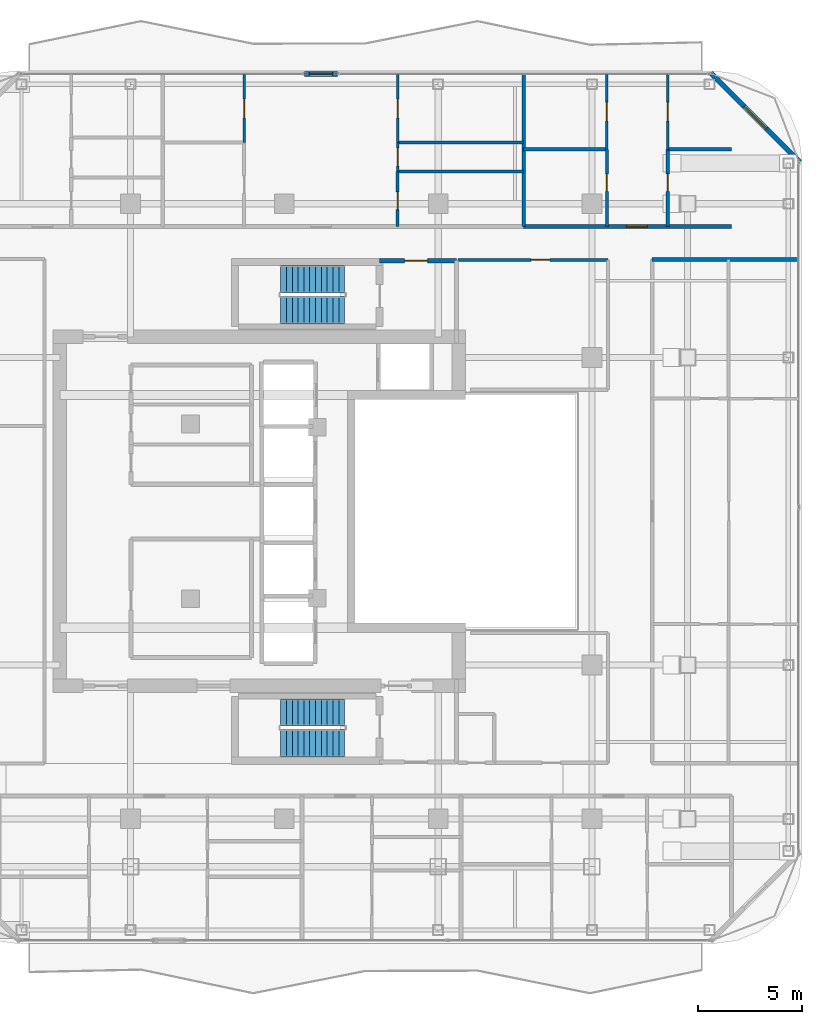
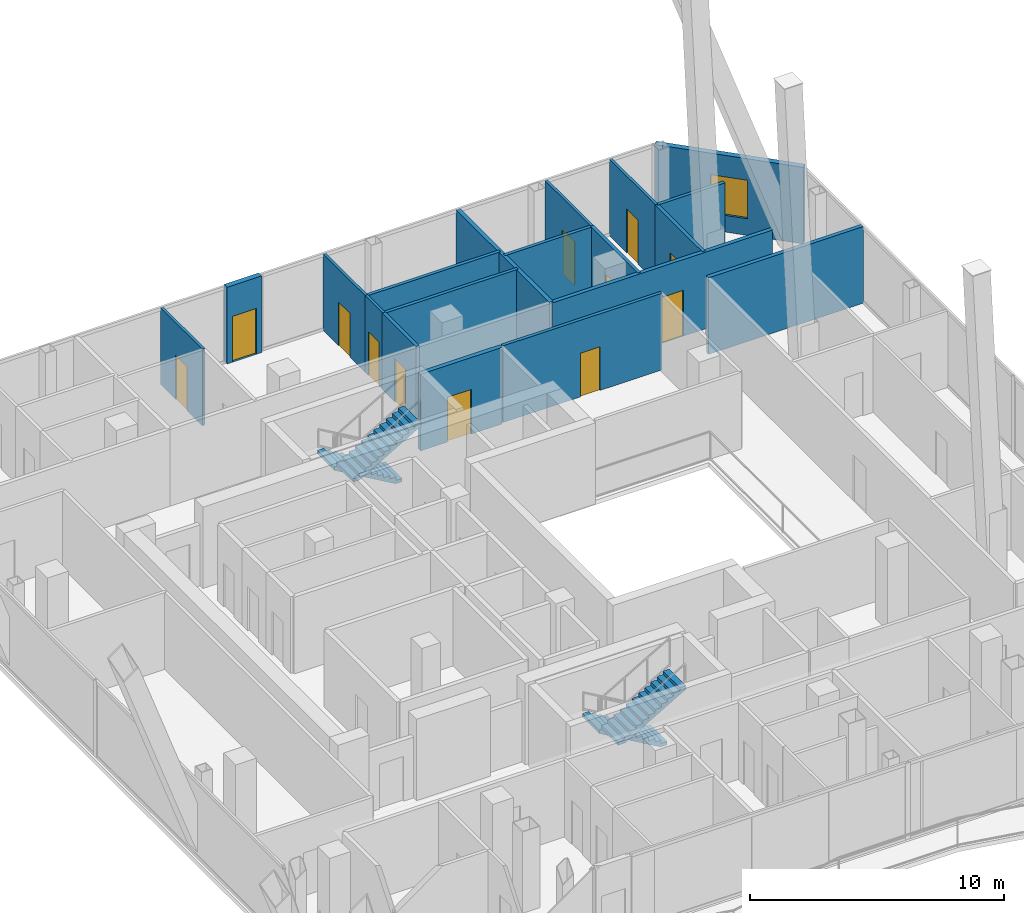
# One storey, part 24 of 27: 19 walls, 12 doors, 4 stair flights, 1 window, 13 openings, 2 elements without a shape of their own.
"""IFC4 building model written with IfcOpenShell, lengths in metres."""

from ifc_helpers import new_model, si_unit, direction, frame, frame_2d, origin, place, context, subcontext, project, spatial, polyline, rectangle, outline, extrude, material, layer, layer_set, type_object, element, fill, aggregate, save


model = new_model("IFC4")

# Units and contexts
model_context = context("Model", 3, precision=1e-05, world=origin(), true_north=direction((0.0, 1.0)))
body_context = subcontext(model_context, "Body", "Model", "MODEL_VIEW")
ifc_project = project(units=[si_unit("LENGTHUNIT", "METRE"), si_unit("AREAUNIT", "SQUARE_METRE"), si_unit("VOLUMEUNIT", "CUBIC_METRE"), si_unit("PLANEANGLEUNIT", "RADIAN"), si_unit("MASSUNIT", "GRAM", prefix="KILO")], contexts=[model_context])

# Site, building, storey
site_placement = place(None, origin())
site = spatial("IfcSite", under=ifc_project, at=site_placement, CompositionType="ELEMENT")
building_placement = place(site_placement, origin())
building = spatial("IfcBuilding", under=site, at=building_placement, Name="Khorvyn Point Tower", CompositionType="ELEMENT")
storey_placement = place(building_placement, frame((0.0, 0.0, 270.300048828125)))
storey = spatial("IfcBuildingStorey", under=building, at=storey_placement, Name="L66", CompositionType="ELEMENT", Elevation=270.300048828125)

# Wall, opening, door
ifc_material_1 = material(Name="Double acoustic gypsum on twin steel stud", Category="steel")
ifc_layer_1 = layer(ifc_material_1, 0.179931640625)
ifc_layer_set_1 = layer_set([ifc_layer_1], Name="Acoustic Double-Stud Apartment Demising Wall 180")
wall_type_1 = type_object("IfcWallType", Name="Acoustic Double-Stud Apartment Demising Wall 180", PredefinedType="PARTITIONING", material=ifc_layer_set_1)
wall_1_placement = place(storey_placement, frame((11.51806640625, 13.699951171875, 0.0), z_axis=(0.0, 0.0, 1.0), x_axis=(1.0, 0.0, 0.0)))
wall_1 = element("IfcWall", 1, at=wall_1_placement, inside=storey, type_object=wall_type_1, Name="Wall", PredefinedType="PARTITIONING", context=body_context, shape_type="SweptSolid", body=[
    extrude(rectangle(XDim=10.001953125, YDim=0.179931640625, at=frame_2d((5.0009765625, 0.0))), origin(), (0.0, 0.0, 1.0), 3.679931640625),
])
opening_1_placement = place(wall_1_placement, frame((4.944091796875, 0.0, 0.0)))
opening_1 = element("IfcOpeningElement", 2, at=opening_1_placement, cuts=wall_1, Name="Opening ID-AP60", PredefinedType="OPENING", context=body_context, shape_type="SweptSolid", body=[
    extrude(rectangle(XDim=1.0, YDim=2.199951171875, at=frame_2d((0.5, 1.10009765625))), frame((0.0, 0.099853515625, 0.0), z_axis=(0.0, -1.0, 0.0), x_axis=(1.0, 0.0, 0.0)), (0.0, 0.0, 1.0), 0.199951171875),
])
ifc_material_2 = material(Name="Engineered hardwood fire-rated leaf", Category="wood")
door_type_1 = type_object("IfcDoorType", Name="Acoustic Solid-Core Timber Apartment Entrance Door 1000x2200", OperationType="NOTDEFINED", PredefinedType="DOOR", material=ifc_material_2)
door_1_placement = place(opening_1_placement, origin())
door_1 = element("IfcDoor", 3, at=door_1_placement, inside=storey, type_object=door_type_1, Name="Door", OperationType="SINGLE_SWING_LEFT", OverallHeight=2.199951171875, OverallWidth=1.0, PredefinedType="DOOR", context=body_context, shape_type="SweptSolid", body=[
    extrude(rectangle(XDim=1.0, YDim=2.199951171875, at=frame_2d((0.5, 1.10009765625))), frame((0.0, 0.02490234375, 0.0), z_axis=(0.0, -1.0, 0.0), x_axis=(1.0, 0.0, 0.0)), (0.0, 0.0, 1.0), 0.050048828125),
])
fill(opening_1, door_1)

# Walls
wall_2_placement = place(storey_placement, frame((11.51806640625, 13.699951171875, 0.0), z_axis=(0.0, 0.0, 1.0), x_axis=(0.0, 1.0, 0.0)))
element("IfcWall", 4, at=wall_2_placement, inside=storey, type_object=wall_type_1, Name="Wall", PredefinedType="PARTITIONING", context=body_context, shape_type="SweptSolid", body=[
    extrude(rectangle(XDim=7.330078125, YDim=0.179931640625, at=frame_2d((3.6650390625, 0.0))), origin(), (0.0, 0.0, 1.0), 3.679931640625),
])
wall_3_placement = place(storey_placement, frame((17.699951171875, 12.1201171875, 0.0), z_axis=(0.0, 0.0, 1.0), x_axis=(1.0, 0.0, 0.0)))
element("IfcWall", 5, at=wall_3_placement, inside=storey, type_object=wall_type_1, Name="Wall", PredefinedType="PARTITIONING", context=body_context, shape_type="SweptSolid", body=[
    extrude(rectangle(XDim=7.030029296875, YDim=0.179931640625, at=frame_2d((3.51513671875, 0.0))), origin(), (0.0, 0.0, 1.0), 3.679931640625),
])

# Wall, opening, door
ifc_material_3 = material(Name="Pale anodised aluminium rainscreen on steel stud", Category="steel")
ifc_layer_2 = layer(ifc_material_3, 0.239990234375)
ifc_layer_set_2 = layer_set([ifc_layer_2], Name="Anodised Aluminium Insulated Corner Spandrel Wall 240")
wall_type_2 = type_object("IfcWallType", Name="Anodised Aluminium Insulated Corner Spandrel Wall 240", PredefinedType="SOLIDWALL", material=ifc_layer_set_2)
wall_4_placement = place(storey_placement, frame((0.967041015625, 21.050048828125, 0.0), z_axis=(0.0, 0.0, 1.0), x_axis=(1.0, 0.0, 0.0)))
wall_4 = element("IfcWall", 6, at=wall_4_placement, inside=storey, type_object=wall_type_2, Name="L66 North Outdoor Threshold Wall", PredefinedType="SOLIDWALL", context=body_context, shape_type="SweptSolid", body=[
    extrude(rectangle(XDim=1.580078125, YDim=0.239990234375, at=frame_2d((0.7900390625, 0.0))), origin(), (0.0, 0.0, 1.0), 3.679931640625),
])
opening_2_placement = place(wall_4_placement, frame((0.239990234375, 0.0, 0.0)))
opening_2 = element("IfcOpeningElement", 7, at=opening_2_placement, cuts=wall_4, Name="Opening BD-1122", PredefinedType="OPENING", context=body_context, shape_type="SweptSolid", body=[
    extrude(rectangle(XDim=1.10009765625, YDim=2.199951171875, at=frame_2d((0.550048828125, 1.10009765625))), frame((0.0, 0.1298828125, 0.0), z_axis=(0.0, -1.0, 0.0), x_axis=(1.0, 0.0, 0.0)), (0.0, 0.0, 1.0), 0.260009765625),
])
ifc_material_4 = material(Name="Anodised aluminium 6063-T6 and laminated Low-E glass", Category="aluminium")
door_type_2 = type_object("IfcDoorType", Name="Glazed Balcony and Terrace Threshold Door 1100x2200", OperationType="NOTDEFINED", PredefinedType="DOOR", material=ifc_material_4)
door_2_placement = place(opening_2_placement, origin())
door_2 = element("IfcDoor", 8, at=door_2_placement, inside=storey, type_object=door_type_2, Name="L66 North Glazed Balcony Outdoor Door", OperationType="SINGLE_SWING_LEFT", OverallHeight=2.199951171875, OverallWidth=1.10009765625, PredefinedType="DOOR", context=body_context, shape_type="SweptSolid", body=[
    extrude(rectangle(XDim=1.10009765625, YDim=2.199951171875, at=frame_2d((0.550048828125, 1.10009765625))), frame((0.0, 0.02490234375, 0.0), z_axis=(0.0, -1.0, 0.0), x_axis=(1.0, 0.0, 0.0)), (0.0, 0.0, 1.0), 0.050048828125),
])
fill(opening_2, door_2)

# Wall, opening, window
wall_5_placement = place(storey_placement, frame((20.507568359375, 21.09228515625, 0.0), z_axis=(0.0, 0.0, 1.0), x_axis=(0.707126925818, -0.707086635981, 0.0)))
wall_5 = element("IfcWall", 9, at=wall_5_placement, inside=storey, type_object=wall_type_2, Name="L66 Rounded Corner Wall NE", PredefinedType="SOLIDWALL", context=body_context, shape_type="SweptSolid", body=[
    extrude(rectangle(XDim=6.0595703125, YDim=0.239990234375, at=frame_2d((3.02978515625, 0.0))), origin(), (0.0, 0.0, 1.0), 3.679931640625),
])
opening_3_placement = place(wall_5_placement, frame((2.27978515625, 0.0, 0.800048828125)))
opening_3 = element("IfcOpeningElement", 10, at=opening_3_placement, cuts=wall_5, Name="Opening WN-1518", PredefinedType="OPENING", context=body_context, shape_type="SweptSolid", body=[
    extrude(rectangle(XDim=1.5, YDim=1.85009765625, at=frame_2d((0.75, 0.925048828125))), frame((0.0, 0.1298828125, 0.0), z_axis=(0.0, -1.0, 0.0), x_axis=(1.0, 0.0, 0.0)), (0.0, 0.0, 1.0), 0.260009765625),
])
window_type = type_object("IfcWindowType", Name="Anodised Aluminium Rounded-Corner Panoramic Window 1500x1850", PartitioningType="SINGLE_PANEL", PredefinedType="WINDOW", material=ifc_material_4)
window_placement = place(opening_3_placement, origin())
window = element("IfcWindow", 11, at=window_placement, inside=storey, type_object=window_type, Name="L66 Corner Panoramic Window NE", OverallHeight=1.85009765625, OverallWidth=1.5, PartitioningType="SINGLE_PANEL", PredefinedType="WINDOW", context=body_context, shape_type="SweptSolid", body=[
    extrude(rectangle(XDim=1.5, YDim=1.85009765625, at=frame_2d((0.75, 0.925048828125))), frame((0.0, 0.030029296875, 0.0), z_axis=(0.0, -1.0, 0.0), x_axis=(1.0, 0.0, 0.0)), (0.0, 0.0, 1.0), 0.06005859375),
])
fill(opening_3, window)

# Wall, opening, door
ifc_material_5 = material(Name="Concrete C40/50", Category="concrete")
ifc_layer_3 = layer(ifc_material_5, 0.199951171875)
ifc_layer_set_3 = layer_set([ifc_layer_3], Name="Concrete C40/50 Fire-Lobby Compartment Wall 200")
wall_type_3 = type_object("IfcWallType", Name="Concrete C40/50 Fire-Lobby Compartment Wall 200", PredefinedType="SOLIDWALL", material=ifc_layer_set_3)
wall_6_placement = place(storey_placement, frame((4.580078125, 12.06005859375, 0.0), z_axis=(0.0, 0.0, 1.0), x_axis=(1.0, 0.0, 0.0)))
wall_6 = element("IfcWall", 12, at=wall_6_placement, inside=storey, type_object=wall_type_3, Name="Wall", PredefinedType="SOLIDWALL", context=body_context, shape_type="SweptSolid", body=[
    extrude(rectangle(XDim=3.699951171875, YDim=0.199951171875, at=frame_2d((1.85009765625, 0.0))), origin(), (0.0, 0.0, 1.0), 3.679931640625),
])
opening_4_placement = place(wall_6_placement, frame((1.21240234375, 0.0, 0.0)))
opening_4 = element("IfcOpeningElement", 13, at=opening_4_placement, cuts=wall_6, Name="Opening ID-FL90", PredefinedType="OPENING", context=body_context, shape_type="SweptSolid", body=[
    extrude(rectangle(XDim=1.10009765625, YDim=2.14990234375, at=frame_2d((0.550048828125, 1.074951171875))), frame((0.0, 0.10986328125, 0.0), z_axis=(0.0, -1.0, 0.0), x_axis=(1.0, 0.0, 0.0)), (0.0, 0.0, 1.0), 0.219970703125),
])
ifc_material_6 = material(Name="Galvanised powder-coated steel", Category="steel")
door_type_3 = type_object("IfcDoorType", Name="Fire-Rated Steel Lobby and Stair Door 1100x2150", OperationType="NOTDEFINED", PredefinedType="DOOR", material=ifc_material_6)
door_3_placement = place(opening_4_placement, origin())
door_3 = element("IfcDoor", 14, at=door_3_placement, inside=storey, type_object=door_type_3, Name="Door", OperationType="SINGLE_SWING_LEFT", OverallHeight=2.14990234375, OverallWidth=1.10009765625, PredefinedType="DOOR", context=body_context, shape_type="SweptSolid", body=[
    extrude(rectangle(XDim=1.10009765625, YDim=2.14990234375, at=frame_2d((0.550048828125, 1.074951171875))), frame((0.0, 0.02490234375, 0.0), z_axis=(0.0, -1.0, 0.0), x_axis=(1.0, 0.0, 0.0)), (0.0, 0.0, 1.0), 0.050048828125),
])
fill(opening_4, door_3)

ifc_material_7 = material(Name="Gypsum plasterboard on steel stud", Category="steel")
ifc_layer_4 = layer(ifc_material_7, 0.1201171875)
ifc_layer_set_4 = layer_set([ifc_layer_4], Name="Gypsum Acoustic Stud Room Partition Wall 120")
wall_type_4 = type_object("IfcWallType", Name="Gypsum Acoustic Stud Room Partition Wall 120", PredefinedType="PARTITIONING", material=ifc_layer_set_4)
wall_7_placement = place(storey_placement, frame((-1.93505859375, 17.743896484375, 0.0), z_axis=(0.0, 0.0, 1.0), x_axis=(0.0, 1.0, 0.0)))
wall_7 = element("IfcWall", 15, at=wall_7_placement, inside=storey, type_object=wall_type_4, Name="Wall", PredefinedType="PARTITIONING", context=body_context, shape_type="SweptSolid", body=[
    extrude(rectangle(XDim=3.2861328125, YDim=0.1201171875, at=frame_2d((1.64306640625, 0.0))), origin(), (0.0, 0.0, 1.0), 3.679931640625),
])
opening_5_placement = place(wall_7_placement, frame((1.193115234375, 0.0, 0.0)))
opening_5 = element("IfcOpeningElement", 16, at=opening_5_placement, cuts=wall_7, Name="Opening ID-RM90", PredefinedType="OPENING", context=body_context, shape_type="SweptSolid", body=[
    extrude(rectangle(XDim=0.89990234375, YDim=2.10009765625, at=frame_2d((0.449951171875, 1.050048828125))), frame((0.0, 0.070068359375, 0.0), z_axis=(0.0, -1.0, 0.0), x_axis=(1.0, 0.0, 0.0)), (0.0, 0.0, 1.0), 0.14013671875),
])
ifc_material_8 = material(Name="Engineered oak veneer timber", Category="wood")
door_type_4 = type_object("IfcDoorType", Name="Flush Engineered Timber Room Door 900x2100", OperationType="NOTDEFINED", PredefinedType="DOOR", material=ifc_material_8)
door_4_placement = place(opening_5_placement, origin())
door_4 = element("IfcDoor", 17, at=door_4_placement, inside=storey, type_object=door_type_4, Name="Door", OperationType="SINGLE_SWING_LEFT", OverallHeight=2.10009765625, OverallWidth=0.89990234375, PredefinedType="DOOR", context=body_context, shape_type="SweptSolid", body=[
    extrude(rectangle(XDim=0.89990234375, YDim=2.10009765625, at=frame_2d((0.449951171875, 1.050048828125))), frame((0.0, 0.02490234375, 0.0), z_axis=(0.0, -1.0, 0.0), x_axis=(1.0, 0.0, 0.0)), (0.0, 0.0, 1.0), 0.050048828125),
])
fill(opening_5, door_4)

wall_8_placement = place(storey_placement, frame((5.448974609375, 16.361083984375, 0.0), z_axis=(0.0, 0.0, 1.0), x_axis=(0.0, 1.0, 0.0)))
wall_8 = element("IfcWall", 18, at=wall_8_placement, inside=storey, type_object=wall_type_4, Name="Wall", PredefinedType="PARTITIONING", context=body_context, shape_type="SweptSolid", body=[
    extrude(rectangle(XDim=1.3828125, YDim=0.1201171875, at=frame_2d((0.69140625, 0.0))), origin(), (0.0, 0.0, 1.0), 3.679931640625),
])
opening_6_placement = place(wall_8_placement, frame((0.2666015625, 0.0, 0.0)))
opening_6 = element("IfcOpeningElement", 19, at=opening_6_placement, cuts=wall_8, Name="Opening ID-WC85", PredefinedType="OPENING", context=body_context, shape_type="SweptSolid", body=[
    extrude(rectangle(XDim=0.85009765625, YDim=2.10009765625, at=frame_2d((0.425048828125, 1.050048828125))), frame((0.0, 0.070068359375, 0.0), z_axis=(0.0, -1.0, 0.0), x_axis=(1.0, 0.0, 0.0)), (0.0, 0.0, 1.0), 0.14013671875),
])
ifc_material_9 = material(Name="High-pressure laminate on moisture-resistant core", Category="wood")
door_type_5 = type_object("IfcDoorType", Name="Moisture-Resistant Accessible Washroom Door 850x2100", OperationType="NOTDEFINED", PredefinedType="DOOR", material=ifc_material_9)
door_5_placement = place(opening_6_placement, origin())
door_5 = element("IfcDoor", 20, at=door_5_placement, inside=storey, type_object=door_type_5, Name="Door", OperationType="SINGLE_SWING_LEFT", OverallHeight=2.10009765625, OverallWidth=0.85009765625, PredefinedType="DOOR", context=body_context, shape_type="SweptSolid", body=[
    extrude(rectangle(XDim=0.85009765625, YDim=2.10009765625, at=frame_2d((0.425048828125, 1.050048828125))), frame((0.0, 0.02490234375, 0.0), z_axis=(0.0, -1.0, 0.0), x_axis=(1.0, 0.0, 0.0)), (0.0, 0.0, 1.0), 0.050048828125),
])
fill(opening_6, door_5)

wall_9_placement = place(storey_placement, frame((5.448974609375, 17.743896484375, 0.0), z_axis=(0.0, 0.0, 1.0), x_axis=(0.0, 1.0, 0.0)))
wall_9 = element("IfcWall", 21, at=wall_9_placement, inside=storey, type_object=wall_type_4, Name="Wall", PredefinedType="PARTITIONING", context=body_context, shape_type="SweptSolid", body=[
    extrude(rectangle(XDim=3.2861328125, YDim=0.1201171875, at=frame_2d((1.64306640625, 0.0))), origin(), (0.0, 0.0, 1.0), 3.679931640625),
])
opening_7_placement = place(wall_9_placement, frame((1.193115234375, 0.0, 0.0)))
opening_7 = element("IfcOpeningElement", 22, at=opening_7_placement, cuts=wall_9, Name="Opening ID-RM90", PredefinedType="OPENING", context=body_context, shape_type="SweptSolid", body=[
    extrude(rectangle(XDim=0.89990234375, YDim=2.10009765625, at=frame_2d((0.449951171875, 1.050048828125))), frame((0.0, 0.070068359375, 0.0), z_axis=(0.0, -1.0, 0.0), x_axis=(1.0, 0.0, 0.0)), (0.0, 0.0, 1.0), 0.14013671875),
])
door_6_placement = place(opening_7_placement, origin())
door_6 = element("IfcDoor", 23, at=door_6_placement, inside=storey, type_object=door_type_4, Name="Door", OperationType="SINGLE_SWING_RIGHT", OverallHeight=2.10009765625, OverallWidth=0.89990234375, PredefinedType="DOOR", context=body_context, shape_type="SweptSolid", body=[
    extrude(rectangle(XDim=0.89990234375, YDim=2.10009765625, at=frame_2d((0.449951171875, 1.050048828125))), frame((0.0, 0.02490234375, 0.0), z_axis=(0.0, -1.0, 0.0), x_axis=(1.0, 0.0, 0.0)), (0.0, 0.0, 1.0), 0.050048828125),
])
fill(opening_7, door_6)

wall_10_placement = place(storey_placement, frame((15.51904296875, 17.4208984375, 0.0), z_axis=(0.0, 0.0, 1.0), x_axis=(0.0, 1.0, 0.0)))
wall_10 = element("IfcWall", 24, at=wall_10_placement, inside=storey, type_object=wall_type_4, Name="Wall", PredefinedType="PARTITIONING", context=body_context, shape_type="SweptSolid", body=[
    extrude(rectangle(XDim=3.609130859375, YDim=0.1201171875, at=frame_2d((1.8046875, 0.0))), origin(), (0.0, 0.0, 1.0), 3.679931640625),
])
opening_8_placement = place(wall_10_placement, frame((1.3544921875, 0.0, 0.0)))
opening_8 = element("IfcOpeningElement", 25, at=opening_8_placement, cuts=wall_10, Name="Opening ID-RM90", PredefinedType="OPENING", context=body_context, shape_type="SweptSolid", body=[
    extrude(rectangle(XDim=0.89990234375, YDim=2.10009765625, at=frame_2d((0.449951171875, 1.050048828125))), frame((0.0, 0.070068359375, 0.0), z_axis=(0.0, -1.0, 0.0), x_axis=(1.0, 0.0, 0.0)), (0.0, 0.0, 1.0), 0.14013671875),
])
door_7_placement = place(opening_8_placement, origin())
door_7 = element("IfcDoor", 26, at=door_7_placement, inside=storey, type_object=door_type_4, Name="Door", OperationType="SINGLE_SWING_LEFT", OverallHeight=2.10009765625, OverallWidth=0.89990234375, PredefinedType="DOOR", context=body_context, shape_type="SweptSolid", body=[
    extrude(rectangle(XDim=0.89990234375, YDim=2.10009765625, at=frame_2d((0.449951171875, 1.050048828125))), frame((0.0, 0.02490234375, 0.0), z_axis=(0.0, -1.0, 0.0), x_axis=(1.0, 0.0, 0.0)), (0.0, 0.0, 1.0), 0.050048828125),
])
fill(opening_8, door_7)

wall_11_placement = place(storey_placement, frame((18.450927734375, 17.4208984375, 0.0), z_axis=(0.0, 0.0, 1.0), x_axis=(0.0, 1.0, 0.0)))
wall_11 = element("IfcWall", 27, at=wall_11_placement, inside=storey, type_object=wall_type_4, Name="Wall", PredefinedType="PARTITIONING", context=body_context, shape_type="SweptSolid", body=[
    extrude(rectangle(XDim=3.609130859375, YDim=0.1201171875, at=frame_2d((1.8046875, 0.0))), origin(), (0.0, 0.0, 1.0), 3.679931640625),
])
opening_9_placement = place(wall_11_placement, frame((1.3544921875, 0.0, 0.0)))
opening_9 = element("IfcOpeningElement", 28, at=opening_9_placement, cuts=wall_11, Name="Opening ID-RM90", PredefinedType="OPENING", context=body_context, shape_type="SweptSolid", body=[
    extrude(rectangle(XDim=0.89990234375, YDim=2.10009765625, at=frame_2d((0.449951171875, 1.050048828125))), frame((0.0, 0.070068359375, 0.0), z_axis=(0.0, -1.0, 0.0), x_axis=(1.0, 0.0, 0.0)), (0.0, 0.0, 1.0), 0.14013671875),
])
door_8_placement = place(opening_9_placement, origin())
door_8 = element("IfcDoor", 29, at=door_8_placement, inside=storey, type_object=door_type_4, Name="Door", OperationType="SINGLE_SWING_LEFT", OverallHeight=2.10009765625, OverallWidth=0.89990234375, PredefinedType="DOOR", context=body_context, shape_type="SweptSolid", body=[
    extrude(rectangle(XDim=0.89990234375, YDim=2.10009765625, at=frame_2d((0.449951171875, 1.050048828125))), frame((0.0, 0.02490234375, 0.0), z_axis=(0.0, -1.0, 0.0), x_axis=(1.0, 0.0, 0.0)), (0.0, 0.0, 1.0), 0.050048828125),
])
fill(opening_9, door_8)

ifc_material_10 = material(Name="Moisture-resistant gypsum and cement board", Category="gypsum")
ifc_layer_5 = layer(ifc_material_10, 0.14990234375)
ifc_layer_set_5 = layer_set([ifc_layer_5], Name="Moisture-Resistant Wet-Room Partition Wall 150")
wall_type_5 = type_object("IfcWallType", Name="Moisture-Resistant Wet-Room Partition Wall 150", PredefinedType="PARTITIONING", material=ifc_layer_set_5)
wall_12_placement = place(storey_placement, frame((8.360107421875, 12.10009765625, 0.0), z_axis=(0.0, 0.0, 1.0), x_axis=(1.0, 0.0, 0.0)))
wall_12 = element("IfcWall", 30, at=wall_12_placement, inside=storey, type_object=wall_type_5, Name="Wall", PredefinedType="PARTITIONING", context=body_context, shape_type="SweptSolid", body=[
    extrude(rectangle(XDim=7.219970703125, YDim=0.14990234375, at=frame_2d((3.60986328125, 0.0))), origin(), (0.0, 0.0, 1.0), 3.679931640625),
])
opening_10_placement = place(wall_12_placement, frame((3.512939453125, 0.0, 0.0)))
opening_10 = element("IfcOpeningElement", 31, at=opening_10_placement, cuts=wall_12, Name="Opening ID-RM90", PredefinedType="OPENING", context=body_context, shape_type="SweptSolid", body=[
    extrude(rectangle(XDim=0.89990234375, YDim=2.10009765625, at=frame_2d((0.449951171875, 1.050048828125))), frame((0.0, 0.0849609375, 0.0), z_axis=(0.0, -1.0, 0.0), x_axis=(1.0, 0.0, 0.0)), (0.0, 0.0, 1.0), 0.169921875),
])
door_9_placement = place(opening_10_placement, origin())
door_9 = element("IfcDoor", 32, at=door_9_placement, inside=storey, type_object=door_type_4, Name="Door", OperationType="SINGLE_SWING_RIGHT", OverallHeight=2.10009765625, OverallWidth=0.89990234375, PredefinedType="DOOR", context=body_context, shape_type="SweptSolid", body=[
    extrude(rectangle(XDim=0.89990234375, YDim=2.10009765625, at=frame_2d((0.449951171875, 1.050048828125))), frame((0.0, 0.02490234375, 0.0), z_axis=(0.0, -1.0, 0.0), x_axis=(1.0, 0.0, 0.0)), (0.0, 0.0, 1.0), 0.050048828125),
])
fill(opening_10, door_9)

wall_13_placement = place(storey_placement, frame((5.448974609375, 13.699951171875, 0.0), z_axis=(0.0, 0.0, 1.0), x_axis=(0.0, 1.0, 0.0)))
wall_13 = element("IfcWall", 33, at=wall_13_placement, inside=storey, type_object=wall_type_5, Name="Wall", PredefinedType="PARTITIONING", context=body_context, shape_type="SweptSolid", body=[
    extrude(rectangle(XDim=2.6611328125, YDim=0.14990234375, at=frame_2d((1.33056640625, 0.0))), origin(), (0.0, 0.0, 1.0), 3.679931640625),
])
opening_11_placement = place(wall_13_placement, frame((0.82275390625, 0.0, 0.0)))
opening_11 = element("IfcOpeningElement", 34, at=opening_11_placement, cuts=wall_13, Name="Opening ID-WC85", PredefinedType="OPENING", context=body_context, shape_type="SweptSolid", body=[
    extrude(rectangle(XDim=0.85009765625, YDim=2.10009765625, at=frame_2d((0.425048828125, 1.050048828125))), frame((0.0, 0.0849609375, 0.0), z_axis=(0.0, -1.0, 0.0), x_axis=(1.0, 0.0, 0.0)), (0.0, 0.0, 1.0), 0.169921875),
])
door_10_placement = place(opening_11_placement, origin())
door_10 = element("IfcDoor", 35, at=door_10_placement, inside=storey, type_object=door_type_5, Name="Door", OperationType="SINGLE_SWING_RIGHT", OverallHeight=2.10009765625, OverallWidth=0.85009765625, PredefinedType="DOOR", context=body_context, shape_type="SweptSolid", body=[
    extrude(rectangle(XDim=0.85009765625, YDim=2.10009765625, at=frame_2d((0.425048828125, 1.050048828125))), frame((0.0, 0.02490234375, 0.0), z_axis=(0.0, -1.0, 0.0), x_axis=(1.0, 0.0, 0.0)), (0.0, 0.0, 1.0), 0.050048828125),
])
fill(opening_11, door_10)

wall_14_placement = place(storey_placement, frame((15.51904296875, 13.699951171875, 0.0), z_axis=(0.0, 0.0, 1.0), x_axis=(0.0, 1.0, 0.0)))
wall_14 = element("IfcWall", 36, at=wall_14_placement, inside=storey, type_object=wall_type_5, Name="Wall", PredefinedType="PARTITIONING", context=body_context, shape_type="SweptSolid", body=[
    extrude(rectangle(XDim=3.720947265625, YDim=0.14990234375, at=frame_2d((1.8603515625, 0.0))), origin(), (0.0, 0.0, 1.0), 3.679931640625),
])
opening_12_placement = place(wall_14_placement, frame((1.690673828125, 0.0, 0.0)))
opening_12 = element("IfcOpeningElement", 37, at=opening_12_placement, cuts=wall_14, Name="Opening ID-WC85", PredefinedType="OPENING", context=body_context, shape_type="SweptSolid", body=[
    extrude(rectangle(XDim=0.85009765625, YDim=2.10009765625, at=frame_2d((0.425048828125, 1.050048828125))), frame((0.0, 0.0849609375, 0.0), z_axis=(0.0, -1.0, 0.0), x_axis=(1.0, 0.0, 0.0)), (0.0, 0.0, 1.0), 0.169921875),
])
door_11_placement = place(opening_12_placement, origin())
door_11 = element("IfcDoor", 38, at=door_11_placement, inside=storey, type_object=door_type_5, Name="Door", OperationType="SINGLE_SWING_RIGHT", OverallHeight=2.10009765625, OverallWidth=0.85009765625, PredefinedType="DOOR", context=body_context, shape_type="SweptSolid", body=[
    extrude(rectangle(XDim=0.85009765625, YDim=2.10009765625, at=frame_2d((0.425048828125, 1.050048828125))), frame((0.0, 0.02490234375, 0.0), z_axis=(0.0, -1.0, 0.0), x_axis=(1.0, 0.0, 0.0)), (0.0, 0.0, 1.0), 0.050048828125),
])
fill(opening_12, door_11)

wall_15_placement = place(storey_placement, frame((18.450927734375, 13.699951171875, 0.0), z_axis=(0.0, 0.0, 1.0), x_axis=(0.0, 1.0, 0.0)))
wall_15 = element("IfcWall", 39, at=wall_15_placement, inside=storey, type_object=wall_type_5, Name="Wall", PredefinedType="PARTITIONING", context=body_context, shape_type="SweptSolid", body=[
    extrude(rectangle(XDim=3.720947265625, YDim=0.14990234375, at=frame_2d((1.8603515625, 0.0))), origin(), (0.0, 0.0, 1.0), 3.679931640625),
])
opening_13_placement = place(wall_15_placement, frame((1.690673828125, 0.0, 0.0)))
opening_13 = element("IfcOpeningElement", 40, at=opening_13_placement, cuts=wall_15, Name="Opening ID-WC85", PredefinedType="OPENING", context=body_context, shape_type="SweptSolid", body=[
    extrude(rectangle(XDim=0.85009765625, YDim=2.10009765625, at=frame_2d((0.425048828125, 1.050048828125))), frame((0.0, 0.0849609375, 0.0), z_axis=(0.0, -1.0, 0.0), x_axis=(1.0, 0.0, 0.0)), (0.0, 0.0, 1.0), 0.169921875),
])
door_12_placement = place(opening_13_placement, origin())
door_12 = element("IfcDoor", 41, at=door_12_placement, inside=storey, type_object=door_type_5, Name="Door", OperationType="SINGLE_SWING_RIGHT", OverallHeight=2.10009765625, OverallWidth=0.85009765625, PredefinedType="DOOR", context=body_context, shape_type="SweptSolid", body=[
    extrude(rectangle(XDim=0.85009765625, YDim=2.10009765625, at=frame_2d((0.425048828125, 1.050048828125))), frame((0.0, 0.02490234375, 0.0), z_axis=(0.0, -1.0, 0.0), x_axis=(1.0, 0.0, 0.0)), (0.0, 0.0, 1.0), 0.050048828125),
])
fill(opening_13, door_12)

# Walls
for number, where, z_axis, x_axis, name in (
    (42, (5.448974609375, 16.361083984375, 0.0), (0.0, 0.0, 1.0), (1.0, 0.0, 0.0), "Wall"),
    (43, (5.448974609375, 17.743896484375, 0.0), (0.0, 0.0, 1.0), (1.0, 0.0, 0.0), "Wall"),
):
    element("IfcWall", number, at=place(storey_placement, frame(where, z_axis=z_axis, x_axis=x_axis)), inside=storey, type_object=wall_type_5, Name=name, PredefinedType="PARTITIONING", context=body_context, shape_type="SweptSolid", body=[
        extrude(rectangle(XDim=6.069091796875, YDim=0.14990234375, at=frame_2d((3.03466796875, 0.0))), origin(), (0.0, 0.0, 1.0), 3.679931640625),
    ])
wall_16_placement = place(storey_placement, frame((11.51806640625, 17.4208984375, 0.0), z_axis=(0.0, 0.0, 1.0), x_axis=(1.0, 0.0, 0.0)))
element("IfcWall", 44, at=wall_16_placement, inside=storey, type_object=wall_type_5, Name="Wall", PredefinedType="PARTITIONING", context=body_context, shape_type="SweptSolid", body=[
    extrude(rectangle(XDim=4.0009765625, YDim=0.14990234375, at=frame_2d((2.00048828125, 0.0))), origin(), (0.0, 0.0, 1.0), 3.679931640625),
])
wall_17_placement = place(storey_placement, frame((18.450927734375, 17.4208984375, 0.0), z_axis=(0.0, 0.0, 1.0), x_axis=(1.0, 0.0, 0.0)))
element("IfcWall", 45, at=wall_17_placement, inside=storey, type_object=wall_type_5, Name="Wall", PredefinedType="PARTITIONING", context=body_context, shape_type="SweptSolid", body=[
    extrude(rectangle(XDim=3.069091796875, YDim=0.14990234375, at=frame_2d((1.53466796875, 0.0))), origin(), (0.0, 0.0, 1.0), 3.679931640625),
])

# Stair, stair flights
stair_type = type_object("IfcStairType", Name="Tower Concrete C40/50 Dogleg Exit Stair", PredefinedType="HALF_TURN_STAIR", material=ifc_material_5)
stair_1_placement = place(storey_placement, origin())
stair_1 = element("IfcStair", 46, at=stair_1_placement, inside=storey, type_object=stair_type, Name="L66 Tower Smokeproof Exit Stair South", PredefinedType="HALF_TURN_STAIR")
stair_flight_type = type_object("IfcStairFlightType", Name="Tower Concrete C40/50 Stair Flight", PredefinedType="STRAIGHT", material=ifc_material_5)
stair_flight_1_placement = place(storey_placement, frame((2.89990234375, -9.679931640625, 0.0), z_axis=(0.0, 0.0, 1.0), x_axis=(-1.0, 0.0, 0.0)))
stair_flight_1 = element("IfcStairFlight", 47, at=stair_flight_1_placement, type_object=stair_flight_type, Name="ST-01 flight 1", NumberOfRisers=12, NumberOfTreads=11, PredefinedType="STRAIGHT", RiserHeight=0.1625, TreadLength=0.28, context=body_context, shape_type="SweptSolid", body=[
    extrude(outline(polyline([(0.0, 0.0), (0.0, 0.16259765625), (0.280029296875, 0.16259765625), (0.280029296875, 0.324951171875), (0.56005859375, 0.324951171875), (0.56005859375, 0.487548828125), (0.840087890625, 0.487548828125), (0.840087890625, 0.64990234375), (1.1201171875, 0.64990234375), (1.1201171875, 0.8125), (1.39990234375, 0.8125), (1.39990234375, 0.97509765625), (1.679931640625, 0.97509765625), (1.679931640625, 1.137451171875), (1.9599609375, 1.137451171875), (1.9599609375, 1.300048828125), (2.239990234375, 1.300048828125), (2.239990234375, 1.46240234375), (2.52001953125, 1.46240234375), (2.52001953125, 1.625), (2.800048828125, 1.625), (2.800048828125, 1.78759765625), (3.080078125, 1.78759765625), (3.080078125, 1.949951171875), (3.080078125, 1.6142578125), (0.298583984375, 0.0), (0.0, 0.0)])), frame((0.0, 0.66015625, 0.0), z_axis=(0.0, -1.0, 0.0), x_axis=(1.0, 0.0, 0.0)), (0.0, 0.0, 1.0), 1.320068359375),
])
stair_flight_2_placement = place(storey_placement, frame((-0.179931640625, -11.159912109375, 1.949951171875), z_axis=(0.0, 0.0, 1.0), x_axis=(1.0, 0.0, 0.0)))
stair_flight_2 = element("IfcStairFlight", 48, at=stair_flight_2_placement, type_object=stair_flight_type, Name="ST-01 flight 2", NumberOfRisers=12, NumberOfTreads=11, PredefinedType="STRAIGHT", RiserHeight=0.1625, TreadLength=0.28, context=body_context, shape_type="SweptSolid", body=[
    extrude(outline(polyline([(0.0, 0.0), (0.0, 0.16259765625), (0.280029296875, 0.16259765625), (0.280029296875, 0.324951171875), (0.56005859375, 0.324951171875), (0.56005859375, 0.487548828125), (0.840087890625, 0.487548828125), (0.840087890625, 0.64990234375), (1.1201171875, 0.64990234375), (1.1201171875, 0.8125), (1.39990234375, 0.8125), (1.39990234375, 0.97509765625), (1.679931640625, 0.97509765625), (1.679931640625, 1.137451171875), (1.9599609375, 1.137451171875), (1.9599609375, 1.300048828125), (2.239990234375, 1.300048828125), (2.239990234375, 1.46240234375), (2.52001953125, 1.46240234375), (2.52001953125, 1.625), (2.800048828125, 1.625), (2.800048828125, 1.78759765625), (3.080078125, 1.78759765625), (3.080078125, 1.949951171875), (3.080078125, 1.6142578125), (0.298583984375, 0.0), (0.0, 0.0)])), frame((0.0, 0.66015625, 0.0), z_axis=(0.0, -1.0, 0.0), x_axis=(1.0, 0.0, 0.0)), (0.0, 0.0, 1.0), 1.320068359375),
])
aggregate(stair_1, [stair_flight_1, stair_flight_2])

stair_2_placement = place(storey_placement, origin())
stair_2 = element("IfcStair", 49, at=stair_2_placement, inside=storey, type_object=stair_type, Name="L66 Tower Smokeproof Exit Stair North", PredefinedType="HALF_TURN_STAIR")
stair_flight_3_placement = place(storey_placement, frame((2.89990234375, 11.159912109375, 0.0), z_axis=(0.0, 0.0, 1.0), x_axis=(-1.0, 0.0, 0.0)))
stair_flight_3 = element("IfcStairFlight", 50, at=stair_flight_3_placement, type_object=stair_flight_type, Name="ST-02 flight 1", NumberOfRisers=12, NumberOfTreads=11, PredefinedType="STRAIGHT", RiserHeight=0.1625, TreadLength=0.28, context=body_context, shape_type="SweptSolid", body=[
    extrude(outline(polyline([(0.0, 0.0), (0.0, 0.16259765625), (0.280029296875, 0.16259765625), (0.280029296875, 0.324951171875), (0.56005859375, 0.324951171875), (0.56005859375, 0.487548828125), (0.840087890625, 0.487548828125), (0.840087890625, 0.64990234375), (1.1201171875, 0.64990234375), (1.1201171875, 0.8125), (1.39990234375, 0.8125), (1.39990234375, 0.97509765625), (1.679931640625, 0.97509765625), (1.679931640625, 1.137451171875), (1.9599609375, 1.137451171875), (1.9599609375, 1.300048828125), (2.239990234375, 1.300048828125), (2.239990234375, 1.46240234375), (2.52001953125, 1.46240234375), (2.52001953125, 1.625), (2.800048828125, 1.625), (2.800048828125, 1.78759765625), (3.080078125, 1.78759765625), (3.080078125, 1.949951171875), (3.080078125, 1.6142578125), (0.298583984375, 0.0), (0.0, 0.0)])), frame((0.0, 0.66015625, 0.0), z_axis=(0.0, -1.0, 0.0), x_axis=(1.0, 0.0, 0.0)), (0.0, 0.0, 1.0), 1.320068359375),
])
stair_flight_4_placement = place(storey_placement, frame((-0.179931640625, 9.679931640625, 1.949951171875), z_axis=(0.0, 0.0, 1.0), x_axis=(1.0, 0.0, 0.0)))
stair_flight_4 = element("IfcStairFlight", 51, at=stair_flight_4_placement, type_object=stair_flight_type, Name="ST-02 flight 2", NumberOfRisers=12, NumberOfTreads=11, PredefinedType="STRAIGHT", RiserHeight=0.1625, TreadLength=0.28, context=body_context, shape_type="SweptSolid", body=[
    extrude(outline(polyline([(0.0, 0.0), (0.0, 0.16259765625), (0.280029296875, 0.16259765625), (0.280029296875, 0.324951171875), (0.56005859375, 0.324951171875), (0.56005859375, 0.487548828125), (0.840087890625, 0.487548828125), (0.840087890625, 0.64990234375), (1.1201171875, 0.64990234375), (1.1201171875, 0.8125), (1.39990234375, 0.8125), (1.39990234375, 0.97509765625), (1.679931640625, 0.97509765625), (1.679931640625, 1.137451171875), (1.9599609375, 1.137451171875), (1.9599609375, 1.300048828125), (2.239990234375, 1.300048828125), (2.239990234375, 1.46240234375), (2.52001953125, 1.46240234375), (2.52001953125, 1.625), (2.800048828125, 1.625), (2.800048828125, 1.78759765625), (3.080078125, 1.78759765625), (3.080078125, 1.949951171875), (3.080078125, 1.6142578125), (0.298583984375, 0.0), (0.0, 0.0)])), frame((0.0, 0.66015625, 0.0), z_axis=(0.0, -1.0, 0.0), x_axis=(1.0, 0.0, 0.0)), (0.0, 0.0, 1.0), 1.320068359375),
])
aggregate(stair_2, [stair_flight_3, stair_flight_4])

save(model, "model.ifc")
